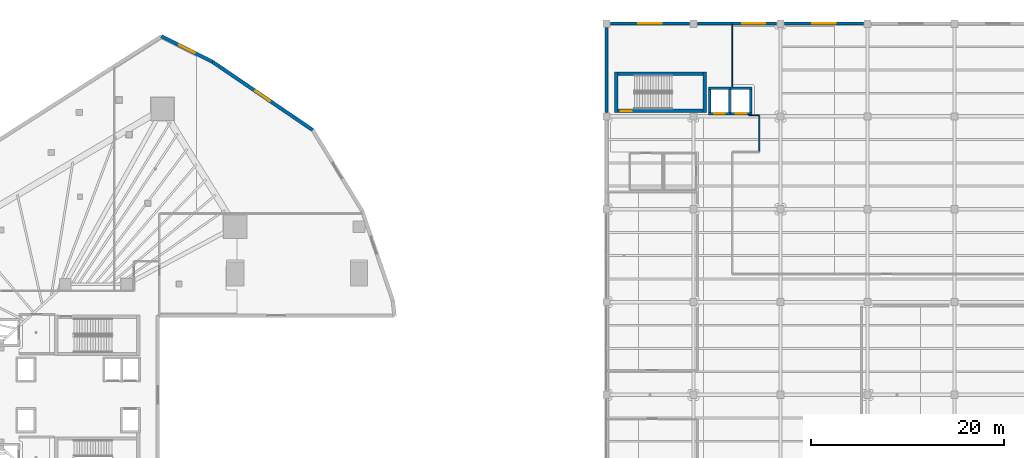
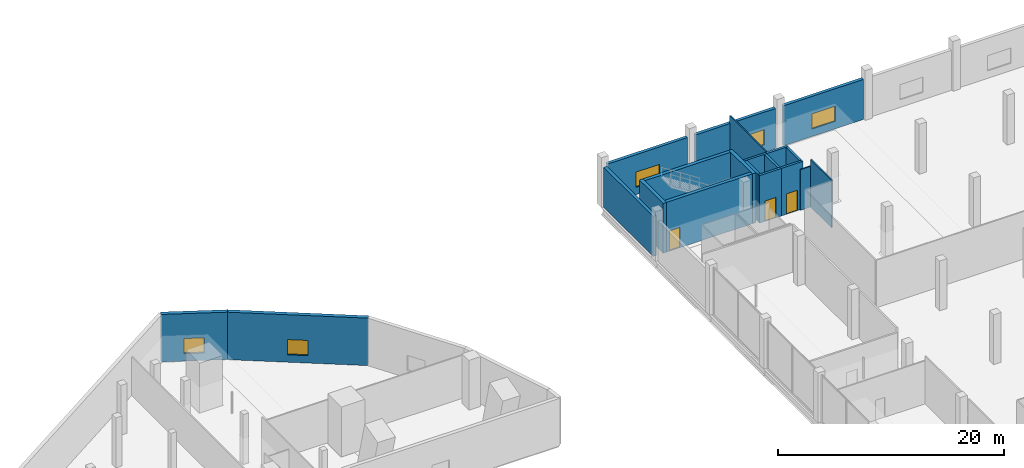
# One storey, part 33 of 47: 20 walls, 5 windows, 3 doors, 8 openings.
"""IFC4 building model written with IfcOpenShell, lengths in metres."""

from ifc_helpers import new_model, si_unit, direction, frame, frame_2d, origin, place, context, subcontext, project, spatial, rectangle, extrude, material, layer, layer_set, type_object, element, fill, save


model = new_model("IFC4")

# Units and contexts
model_context = context("Model", 3, precision=1e-05, world=origin(), true_north=direction((0.0, 1.0)))
body_context = subcontext(model_context, "Body", "Model", "MODEL_VIEW")
ifc_project = project(units=[si_unit("LENGTHUNIT", "METRE"), si_unit("AREAUNIT", "SQUARE_METRE"), si_unit("VOLUMEUNIT", "CUBIC_METRE"), si_unit("PLANEANGLEUNIT", "RADIAN"), si_unit("MASSUNIT", "GRAM", prefix="KILO")], contexts=[model_context])

# Site, building, storey
site_placement = place(None, origin())
site = spatial("IfcSite", under=ifc_project, at=site_placement, CompositionType="ELEMENT")
building_placement = place(site_placement, origin())
building = spatial("IfcBuilding", under=site, at=building_placement, Name="Qorvath Tower", CompositionType="ELEMENT")
storey_placement = place(building_placement, frame((0.0, 0.0, 6.60009765625)))
storey = spatial("IfcBuildingStorey", under=building, at=storey_placement, Name="L01", CompositionType="ELEMENT", Elevation=6.60009765625)

# Walls
ifc_material_1 = material(Name="Gypsum board on metal studs with mineral wool", Category="gypsum")
ifc_layer_1 = layer(ifc_material_1, 0.125)
ifc_layer_set_1 = layer_set([ifc_layer_1], Name="IW-PART-125")
wall_type_1 = type_object("IfcWallType", Name="IW-PART-125", PredefinedType="PARTITIONING", material=ifc_layer_set_1)
wall_1_placement = place(storey_placement, frame((48.18310546875, 28.907958984375, 0.0), z_axis=(0.0, 0.0, 1.0), x_axis=(-1.0, 0.0, 0.0)))
element("IfcWall", 1, at=wall_1_placement, inside=storey, type_object=wall_type_1, Name="Interior Partition IW-LB-L01-017", PredefinedType="PARTITIONING", context=body_context, shape_type="SweptSolid", body=[
    extrude(rectangle(XDim=1.05810546875, YDim=0.125, at=frame_2d((0.529052734375, 0.0))), origin(), (0.0, 0.0, 1.0), 4.4140625),
])
wall_2_placement = place(storey_placement, frame((48.2080078125, 28.883056640625, 0.0), z_axis=(0.0, 0.0, 1.0), x_axis=(0.0, -1.0, 0.0)))
element("IfcWall", 2, at=wall_2_placement, inside=storey, type_object=wall_type_1, Name="Interior Partition IW-LB-L01-018", PredefinedType="PARTITIONING", context=body_context, shape_type="SweptSolid", body=[
    extrude(rectangle(XDim=3.745849609375, YDim=0.125, at=frame_2d((1.873046875, 0.0))), origin(), (0.0, 0.0, 1.0), 5.139892578125),
])
wall_3_placement = place(storey_placement, frame((45.39990234375, 38.320068359375, 0.0), z_axis=(0.0, 0.0, 1.0), x_axis=(0.0, -1.0, 0.0)))
element("IfcWall", 3, at=wall_3_placement, inside=storey, type_object=wall_type_1, Name="Interior Partition IW-LB-L01-022", PredefinedType="PARTITIONING", context=body_context, shape_type="SweptSolid", body=[
    extrude(rectangle(XDim=6.43505859375, YDim=0.125, at=frame_2d((3.217529296875, 0.0))), origin(), (0.0, 0.0, 1.0), 5.139892578125),
])

# Wall, opening, door
ifc_material_2 = material(Name="Concrete C60/75", Category="concrete")
ifc_layer_2 = layer(ifc_material_2, 0.260009765625)
ifc_layer_set_2 = layer_set([ifc_layer_2], Name="SW-SHAFT")
wall_type_2 = type_object("IfcWallType", Name="SW-SHAFT", PredefinedType="SHEAR", material=ifc_layer_set_2)
wall_4_placement = place(storey_placement, frame((45.239990234375, 29.080078125, 0.0), z_axis=(0.0, 0.0, 1.0), x_axis=(-1.0, 0.0, 0.0)))
wall_4 = element("IfcWall", 4, at=wall_4_placement, inside=storey, type_object=wall_type_2, Name="Hoistway Wall LL-1 L01 S", PredefinedType="SHEAR", context=body_context, shape_type="SweptSolid", body=[
    extrude(rectangle(XDim=2.280029296875, YDim=0.239990234375, at=frame_2d((1.14013671875, 0.0))), origin(), (0.0, 0.0, 1.0), 5.139892578125),
])
opening_1_placement = place(wall_4_placement, frame((0.58984375, 0.0, 0.0)))
opening_1 = element("IfcOpeningElement", 5, at=opening_1_placement, cuts=wall_4, Name="Opening LD-LL-1-L01", PredefinedType="OPENING", context=body_context, shape_type="SweptSolid", body=[
    extrude(rectangle(XDim=1.10009765625, YDim=2.199951171875, at=frame_2d((0.550048828125, 1.10009765625))), frame((0.0, 0.1298828125, 0.0), z_axis=(0.0, -1.0, 0.0), x_axis=(1.0, 0.0, 0.0)), (0.0, 0.0, 1.0), 0.260009765625),
])
ifc_material_3 = material(Name="Brushed stainless steel AISI 316", Category="steel")
door_type_1 = type_object("IfcDoorType", Name="LD-01", OperationType="NOTDEFINED", PredefinedType="DOOR", material=ifc_material_3)
door_1_placement = place(opening_1_placement, origin())
door_1 = element("IfcDoor", 6, at=door_1_placement, inside=storey, type_object=door_type_1, Name="Elevator Landing Sliding Door LD-LL-1-L01", OperationType="DOUBLE_DOOR_SLIDING", OverallHeight=2.199951171875, OverallWidth=1.10009765625, PredefinedType="DOOR", context=body_context, shape_type="SweptSolid", body=[
    extrude(rectangle(XDim=1.10009765625, YDim=2.199951171875, at=frame_2d((0.550048828125, 1.10009765625))), frame((0.0, 0.02490234375, 0.0), z_axis=(0.0, -1.0, 0.0), x_axis=(1.0, 0.0, 0.0)), (0.0, 0.0, 1.0), 0.050048828125),
])
fill(opening_1, door_1)

# Walls
wall_5_placement = place(storey_placement, frame((42.9599609375, 31.719970703125, 0.0), z_axis=(0.0, 0.0, 1.0), x_axis=(1.0, 0.0, 0.0)))
element("IfcWall", 7, at=wall_5_placement, inside=storey, type_object=wall_type_2, Name="Hoistway Wall LL-1 L01 N", PredefinedType="SHEAR", context=body_context, shape_type="SweptSolid", body=[
    extrude(rectangle(XDim=2.280029296875, YDim=0.239990234375, at=frame_2d((1.14013671875, 0.0))), origin(), (0.0, 0.0, 1.0), 5.139892578125),
])
for number, where, z_axis, x_axis, name in (
    (8, (43.080078125, 29.2119140625, 0.0), (0.0, 0.0, 1.0), (0.0, 1.0, 0.0), "Hoistway Wall LL-1 L01 W"),
    (9, (45.1201171875, 31.587890625, 0.0), (0.0, 0.0, 1.0), (0.0, -1.0, 0.0), "Hoistway Wall LL-1 L01 E"),
):
    element("IfcWall", number, at=place(storey_placement, frame(where, z_axis=z_axis, x_axis=x_axis)), inside=storey, type_object=wall_type_2, Name=name, PredefinedType="SHEAR", context=body_context, shape_type="SweptSolid", body=[
        extrude(rectangle(XDim=2.3759765625, YDim=0.239990234375, at=frame_2d((1.18798828125, 0.0))), origin(), (0.0, 0.0, 1.0), 5.139892578125),
    ])

# Wall, opening, door
wall_6_placement = place(storey_placement, frame((47.43994140625, 29.080078125, 0.0), z_axis=(0.0, 0.0, 1.0), x_axis=(-1.0, 0.0, 0.0)))
wall_6 = element("IfcWall", 10, at=wall_6_placement, inside=storey, type_object=wall_type_2, Name="Hoistway Wall LL-2 L01 S", PredefinedType="SHEAR", context=body_context, shape_type="SweptSolid", body=[
    extrude(rectangle(XDim=2.199951171875, YDim=0.239990234375, at=frame_2d((1.10009765625, 0.0))), origin(), (0.0, 0.0, 1.0), 5.139892578125),
])
opening_2_placement = place(wall_6_placement, frame((0.58984375, 0.0, 0.0)))
opening_2 = element("IfcOpeningElement", 11, at=opening_2_placement, cuts=wall_6, Name="Opening LD-LL-2-L01", PredefinedType="OPENING", context=body_context, shape_type="SweptSolid", body=[
    extrude(rectangle(XDim=1.10009765625, YDim=2.199951171875, at=frame_2d((0.550048828125, 1.10009765625))), frame((0.0, 0.1298828125, 0.0), z_axis=(0.0, -1.0, 0.0), x_axis=(1.0, 0.0, 0.0)), (0.0, 0.0, 1.0), 0.260009765625),
])
door_2_placement = place(opening_2_placement, origin())
door_2 = element("IfcDoor", 12, at=door_2_placement, inside=storey, type_object=door_type_1, Name="Elevator Landing Sliding Door LD-LL-2-L01", OperationType="DOUBLE_DOOR_SLIDING", OverallHeight=2.199951171875, OverallWidth=1.10009765625, PredefinedType="DOOR", context=body_context, shape_type="SweptSolid", body=[
    extrude(rectangle(XDim=1.10009765625, YDim=2.199951171875, at=frame_2d((0.550048828125, 1.10009765625))), frame((0.0, 0.02490234375, 0.0), z_axis=(0.0, -1.0, 0.0), x_axis=(1.0, 0.0, 0.0)), (0.0, 0.0, 1.0), 0.050048828125),
])
fill(opening_2, door_2)

# Walls
wall_7_placement = place(storey_placement, frame((45.239990234375, 31.719970703125, 0.0), z_axis=(0.0, 0.0, 1.0), x_axis=(1.0, 0.0, 0.0)))
element("IfcWall", 13, at=wall_7_placement, inside=storey, type_object=wall_type_2, Name="Hoistway Wall LL-2 L01 N", PredefinedType="SHEAR", context=body_context, shape_type="SweptSolid", body=[
    extrude(rectangle(XDim=2.199951171875, YDim=0.239990234375, at=frame_2d((1.10009765625, 0.0))), origin(), (0.0, 0.0, 1.0), 5.139892578125),
])
wall_8_placement = place(storey_placement, frame((47.320068359375, 31.587890625, 0.0), z_axis=(0.0, 0.0, 1.0), x_axis=(0.0, -1.0, 0.0)))
element("IfcWall", 14, at=wall_8_placement, inside=storey, type_object=wall_type_2, Name="Hoistway Wall LL-2 L01 E", PredefinedType="SHEAR", context=body_context, shape_type="SweptSolid", body=[
    extrude(rectangle(XDim=2.3759765625, YDim=0.239990234375, at=frame_2d((1.18798828125, 0.0))), origin(), (0.0, 0.0, 1.0), 5.139892578125),
])
ifc_material_4 = material(Name="Concrete C60/75", Category="concrete")
ifc_layer_3 = layer(ifc_material_4, 0.35009765625)
ifc_layer_set_3 = layer_set([ifc_layer_3], Name="SW-STAIR")
wall_type_3 = type_object("IfcWallType", Name="SW-STAIR", PredefinedType="SHEAR", material=ifc_layer_set_3)
for number, where, z_axis, x_axis, name in (
    (15, (33.425048828125, 33.409912109375, 0.0), (0.0, 0.0, 1.0), (0.0, -1.0, 0.0), "Stair LS1 Shear Wall L01 NEAR"),
    (16, (42.574951171875, 29.199951171875, 0.0), (0.0, 0.0, 1.0), (0.0, 1.0, 0.0), "Stair LS1 Shear Wall L01 FAR"),
):
    element("IfcWall", number, at=place(storey_placement, frame(where, z_axis=z_axis, x_axis=x_axis)), inside=storey, type_object=wall_type_3, Name=name, PredefinedType="SHEAR", context=body_context, shape_type="SweptSolid", body=[
        extrude(rectangle(XDim=4.2099609375, YDim=0.35009765625, at=frame_2d((2.10498046875, 0.0))), origin(), (0.0, 0.0, 1.0), 5.39501953125),
    ])

# Wall, opening, door
wall_9_placement = place(storey_placement, frame((33.614990234375, 29.375, 0.0), z_axis=(0.0, 0.0, 1.0), x_axis=(1.0, 0.0, 0.0)))
wall_9 = element("IfcWall", 17, at=wall_9_placement, inside=storey, type_object=wall_type_3, Name="Stair LS1 Shear Wall L01 LEFT", PredefinedType="SHEAR", context=body_context, shape_type="SweptSolid", body=[
    extrude(rectangle(XDim=8.77001953125, YDim=0.35009765625, at=frame_2d((4.385009765625, 0.0))), origin(), (0.0, 0.0, 1.0), 5.39501953125),
])
opening_3_placement = place(wall_9_placement, frame((0.280029296875, 0.0, 0.0)))
opening_3 = element("IfcOpeningElement", 18, at=opening_3_placement, cuts=wall_9, Name="Opening D-LS1-L01", PredefinedType="OPENING", context=body_context, shape_type="SweptSolid", body=[
    extrude(rectangle(XDim=1.10009765625, YDim=2.199951171875, at=frame_2d((0.550048828125, 1.10009765625))), frame((0.0, 0.18505859375, 0.0), z_axis=(0.0, -1.0, 0.0), x_axis=(1.0, 0.0, 0.0)), (0.0, 0.0, 1.0), 0.3701171875),
])
ifc_material_5 = material(Name="Painted galvanised hollow metal", Category="steel")
door_type_2 = type_object("IfcDoorType", Name="FD-90", OperationType="NOTDEFINED", PredefinedType="DOOR", material=ifc_material_5)
door_3_placement = place(opening_3_placement, origin())
door_3 = element("IfcDoor", 19, at=door_3_placement, inside=storey, type_object=door_type_2, Name="Stair LS1 Fire Door L01", OperationType="SINGLE_SWING_RIGHT", OverallHeight=2.199951171875, OverallWidth=1.10009765625, PredefinedType="DOOR", context=body_context, shape_type="SweptSolid", body=[
    extrude(rectangle(XDim=1.10009765625, YDim=2.199951171875, at=frame_2d((0.550048828125, 1.10009765625))), frame((0.0, 0.02490234375, 0.0), z_axis=(0.0, -1.0, 0.0), x_axis=(1.0, 0.0, 0.0)), (0.0, 0.0, 1.0), 0.050048828125),
])
fill(opening_3, door_3)

# Walls
wall_10_placement = place(storey_placement, frame((42.385009765625, 33.235107421875, 0.0), z_axis=(0.0, 0.0, 1.0), x_axis=(-1.0, 0.0, 0.0)))
element("IfcWall", 20, at=wall_10_placement, inside=storey, type_object=wall_type_3, Name="Stair LS1 Shear Wall L01 RIGHT", PredefinedType="SHEAR", context=body_context, shape_type="SweptSolid", body=[
    extrude(rectangle(XDim=8.77001953125, YDim=0.35009765625, at=frame_2d((4.385009765625, 0.0))), origin(), (0.0, 0.0, 1.0), 5.39501953125),
])
ifc_material_6 = material(Name="Precast concrete C45/55", Category="concrete")
ifc_layer_4 = layer(ifc_material_6, 0.320068359375)
ifc_layer_set_4 = layer_set([ifc_layer_4], Name="WL-EW-LIB-320")
wall_type_4 = type_object("IfcWallType", Name="WL-EW-LIB-320", PredefinedType="SOLIDWALL", material=ifc_layer_set_4)
wall_11_placement = place(storey_placement, frame((32.39990234375, 29.219970703125, 0.0), z_axis=(0.0, 0.0, 1.0), x_axis=(0.0, 1.0, 0.0)))
element("IfcWall", 21, at=wall_11_placement, inside=storey, type_object=wall_type_4, Name="Library West Precast Facade Wall L01-8", PredefinedType="SOLIDWALL", context=body_context, shape_type="SweptSolid", body=[
    extrude(rectangle(XDim=8.760009765625, YDim=0.320068359375, at=frame_2d((4.3798828125, 0.0))), origin(), (0.0, 0.0, 1.0), 4.3369140625),
])

# Wall, opening, window
wall_12_placement = place(storey_placement, frame((50.820068359375, 38.39990234375, 0.0), z_axis=(0.0, 0.0, 1.0), x_axis=(1.0, 0.0, 0.0)))
wall_12 = element("IfcWall", 22, at=wall_12_placement, inside=storey, type_object=wall_type_4, Name="Library N Precast Wall L01-3", PredefinedType="SOLIDWALL", context=body_context, shape_type="SweptSolid", body=[
    extrude(rectangle(XDim=8.159912109375, YDim=0.320068359375, at=frame_2d((4.080078125, 0.0))), origin(), (0.0, 0.0, 1.0), 4.3369140625),
])
opening_4_placement = place(wall_12_placement, frame((2.8798828125, 0.0, 0.800048828125)))
opening_4 = element("IfcOpeningElement", 23, at=opening_4_placement, cuts=wall_12, Name="Opening WN-L-089", PredefinedType="OPENING", context=body_context, shape_type="SweptSolid", body=[
    extrude(rectangle(XDim=2.39990234375, YDim=1.64990234375, at=frame_2d((1.199951171875, 0.824951171875))), frame((0.0, 0.169921875, 0.0), z_axis=(0.0, -1.0, 0.0), x_axis=(1.0, 0.0, 0.0)), (0.0, 0.0, 1.0), 0.340087890625),
])
ifc_material_7 = material(Name="Thermally broken aluminium and triple low-E glass", Category="aluminium")
window_type_1 = type_object("IfcWindowType", Name="WN-2", PartitioningType="SINGLE_PANEL", PredefinedType="WINDOW", material=ifc_material_7)
window_1_placement = place(opening_4_placement, origin())
window_1 = element("IfcWindow", 24, at=window_1_placement, inside=storey, type_object=window_type_1, Name="Library Reading Punched Window 089", OverallHeight=1.64990234375, OverallWidth=2.39990234375, PartitioningType="SINGLE_PANEL", PredefinedType="WINDOW", context=body_context, shape_type="SweptSolid", body=[
    extrude(rectangle(XDim=2.39990234375, YDim=1.64990234375, at=frame_2d((1.199951171875, 0.824951171875))), frame((0.0, 0.030029296875, 0.0), z_axis=(0.0, -1.0, 0.0), x_axis=(1.0, 0.0, 0.0)), (0.0, 0.0, 1.0), 0.06005859375),
])
fill(opening_4, window_1)

wall_13_placement = place(storey_placement, frame((41.820068359375, 38.39990234375, 0.0), z_axis=(0.0, 0.0, 1.0), x_axis=(1.0, 0.0, 0.0)))
wall_13 = element("IfcWall", 25, at=wall_13_placement, inside=storey, type_object=wall_type_4, Name="Library N Precast Wall L01-4", PredefinedType="SOLIDWALL", context=body_context, shape_type="SweptSolid", body=[
    extrude(rectangle(XDim=8.159912109375, YDim=0.320068359375, at=frame_2d((4.080078125, 0.0))), origin(), (0.0, 0.0, 1.0), 4.3369140625),
])
opening_5_placement = place(wall_13_placement, frame((4.625, 0.0, 0.800048828125)))
opening_5 = element("IfcOpeningElement", 26, at=opening_5_placement, cuts=wall_13, Name="Opening WN-L-090", PredefinedType="OPENING", context=body_context, shape_type="SweptSolid", body=[
    extrude(rectangle(XDim=2.39990234375, YDim=1.64990234375, at=frame_2d((1.199951171875, 0.824951171875))), frame((0.0, 0.169921875, 0.0), z_axis=(0.0, -1.0, 0.0), x_axis=(1.0, 0.0, 0.0)), (0.0, 0.0, 1.0), 0.340087890625),
])
window_2_placement = place(opening_5_placement, origin())
window_2 = element("IfcWindow", 27, at=window_2_placement, inside=storey, type_object=window_type_1, Name="Library Reading Punched Window 090", OverallHeight=1.64990234375, OverallWidth=2.39990234375, PartitioningType="SINGLE_PANEL", PredefinedType="WINDOW", context=body_context, shape_type="SweptSolid", body=[
    extrude(rectangle(XDim=2.39990234375, YDim=1.64990234375, at=frame_2d((1.199951171875, 0.824951171875))), frame((0.0, 0.030029296875, 0.0), z_axis=(0.0, -1.0, 0.0), x_axis=(1.0, 0.0, 0.0)), (0.0, 0.0, 1.0), 0.06005859375),
])
fill(opening_5, window_2)

wall_14_placement = place(storey_placement, frame((32.820068359375, 38.39990234375, 0.0), z_axis=(0.0, 0.0, 1.0), x_axis=(1.0, 0.0, 0.0)))
wall_14 = element("IfcWall", 28, at=wall_14_placement, inside=storey, type_object=wall_type_4, Name="Library N Precast Wall L01-5", PredefinedType="SOLIDWALL", context=body_context, shape_type="SweptSolid", body=[
    extrude(rectangle(XDim=8.159912109375, YDim=0.320068359375, at=frame_2d((4.080078125, 0.0))), origin(), (0.0, 0.0, 1.0), 4.3369140625),
])
opening_6_placement = place(wall_14_placement, frame((2.8798828125, 0.0, 0.800048828125)))
opening_6 = element("IfcOpeningElement", 29, at=opening_6_placement, cuts=wall_14, Name="Opening WN-L-091", PredefinedType="OPENING", context=body_context, shape_type="SweptSolid", body=[
    extrude(rectangle(XDim=2.39990234375, YDim=1.64990234375, at=frame_2d((1.199951171875, 0.824951171875))), frame((0.0, 0.169921875, 0.0), z_axis=(0.0, -1.0, 0.0), x_axis=(1.0, 0.0, 0.0)), (0.0, 0.0, 1.0), 0.340087890625),
])
window_3_placement = place(opening_6_placement, origin())
window_3 = element("IfcWindow", 30, at=window_3_placement, inside=storey, type_object=window_type_1, Name="Library Reading Punched Window 091", OverallHeight=1.64990234375, OverallWidth=2.39990234375, PartitioningType="SINGLE_PANEL", PredefinedType="WINDOW", context=body_context, shape_type="SweptSolid", body=[
    extrude(rectangle(XDim=2.39990234375, YDim=1.64990234375, at=frame_2d((1.199951171875, 0.824951171875))), frame((0.0, 0.030029296875, 0.0), z_axis=(0.0, -1.0, 0.0), x_axis=(1.0, 0.0, 0.0)), (0.0, 0.0, 1.0), 0.06005859375),
])
fill(opening_6, window_3)

ifc_material_8 = material(Name="Precast concrete C50/60", Category="concrete")
ifc_layer_5 = layer(ifc_material_8, 0.3798828125)
ifc_layer_set_5 = layer_set([ifc_layer_5], Name="WL-EW-POD-380")
wall_type_5 = type_object("IfcWallType", Name="WL-EW-POD-380", PredefinedType="SOLIDWALL", material=ifc_layer_set_5)
wall_15_placement = place(storey_placement, frame((-8.3359375, 34.44482421875, 0.0), z_axis=(0.0, 0.0, 1.0), x_axis=(0.826650936963, -0.562715050819, 0.0)))
wall_15 = element("IfcWall", 31, at=wall_15_placement, inside=storey, type_object=wall_type_5, Name="Tower Podium Precast Facade Wall L01-7.1", PredefinedType="SOLIDWALL", context=body_context, shape_type="SweptSolid", body=[
    extrude(rectangle(XDim=12.528076171875, YDim=0.3798828125, at=frame_2d((6.26416015625, 0.0))), origin(), (0.0, 0.0, 1.0), 5.139892578125),
])
opening_7_placement = place(wall_15_placement, frame((5.364013671875, 0.0, 0.800048828125)))
opening_7 = element("IfcOpeningElement", 32, at=opening_7_placement, cuts=wall_15, Name="Opening WN-L01-006", PredefinedType="OPENING", context=body_context, shape_type="SweptSolid", body=[
    extrude(rectangle(XDim=1.800048828125, YDim=1.64990234375, at=frame_2d((0.89990234375, 0.824951171875))), frame((0.0, 0.199951171875, 0.0), z_axis=(0.0, -1.0, 0.0), x_axis=(1.0, 0.0, 0.0)), (0.0, 0.0, 1.0), 0.39990234375),
])
ifc_material_9 = material(Name="Thermally broken aluminium and triple low-E glass", Category="aluminium")
window_type_2 = type_object("IfcWindowType", Name="WN-1", PartitioningType="SINGLE_PANEL", PredefinedType="WINDOW", material=ifc_material_9)
window_4_placement = place(opening_7_placement, origin())
window_4 = element("IfcWindow", 33, at=window_4_placement, inside=storey, type_object=window_type_2, Name="Podium Punched Window L01-006", OverallHeight=1.64990234375, OverallWidth=1.800048828125, PartitioningType="SINGLE_PANEL", PredefinedType="WINDOW", context=body_context, shape_type="SweptSolid", body=[
    extrude(rectangle(XDim=1.800048828125, YDim=1.64990234375, at=frame_2d((0.89990234375, 0.824951171875))), frame((0.0, 0.030029296875, 0.0), z_axis=(0.0, -1.0, 0.0), x_axis=(1.0, 0.0, 0.0)), (0.0, 0.0, 1.0), 0.06005859375),
])
fill(opening_7, window_4)

wall_16_placement = place(storey_placement, frame((-13.63525390625, 37.094482421875, 0.0), z_axis=(0.0, 0.0, 1.0), x_axis=(0.894427191, -0.4472135955, 0.0)))
wall_16 = element("IfcWall", 34, at=wall_16_placement, inside=storey, type_object=wall_type_5, Name="Tower Podium Precast Facade Wall L01-8.1", PredefinedType="SOLIDWALL", context=body_context, shape_type="SweptSolid", body=[
    extrude(rectangle(XDim=5.9248046875, YDim=0.3798828125, at=frame_2d((2.96240234375, 0.0))), origin(), (0.0, 0.0, 1.0), 5.139892578125),
])
opening_8_placement = place(wall_16_placement, frame((2.0625, 0.0, 0.800048828125)))
opening_8 = element("IfcOpeningElement", 35, at=opening_8_placement, cuts=wall_16, Name="Opening WN-L01-007", PredefinedType="OPENING", context=body_context, shape_type="SweptSolid", body=[
    extrude(rectangle(XDim=1.800048828125, YDim=1.64990234375, at=frame_2d((0.89990234375, 0.824951171875))), frame((0.0, 0.199951171875, 0.0), z_axis=(0.0, -1.0, 0.0), x_axis=(1.0, 0.0, 0.0)), (0.0, 0.0, 1.0), 0.39990234375),
])
window_5_placement = place(opening_8_placement, origin())
window_5 = element("IfcWindow", 36, at=window_5_placement, inside=storey, type_object=window_type_2, Name="Podium Punched Window L01-007", OverallHeight=1.64990234375, OverallWidth=1.800048828125, PartitioningType="SINGLE_PANEL", PredefinedType="WINDOW", context=body_context, shape_type="SweptSolid", body=[
    extrude(rectangle(XDim=1.800048828125, YDim=1.64990234375, at=frame_2d((0.89990234375, 0.824951171875))), frame((0.0, 0.030029296875, 0.0), z_axis=(0.0, -1.0, 0.0), x_axis=(1.0, 0.0, 0.0)), (0.0, 0.0, 1.0), 0.06005859375),
])
fill(opening_8, window_5)

save(model, "model.ifc")
